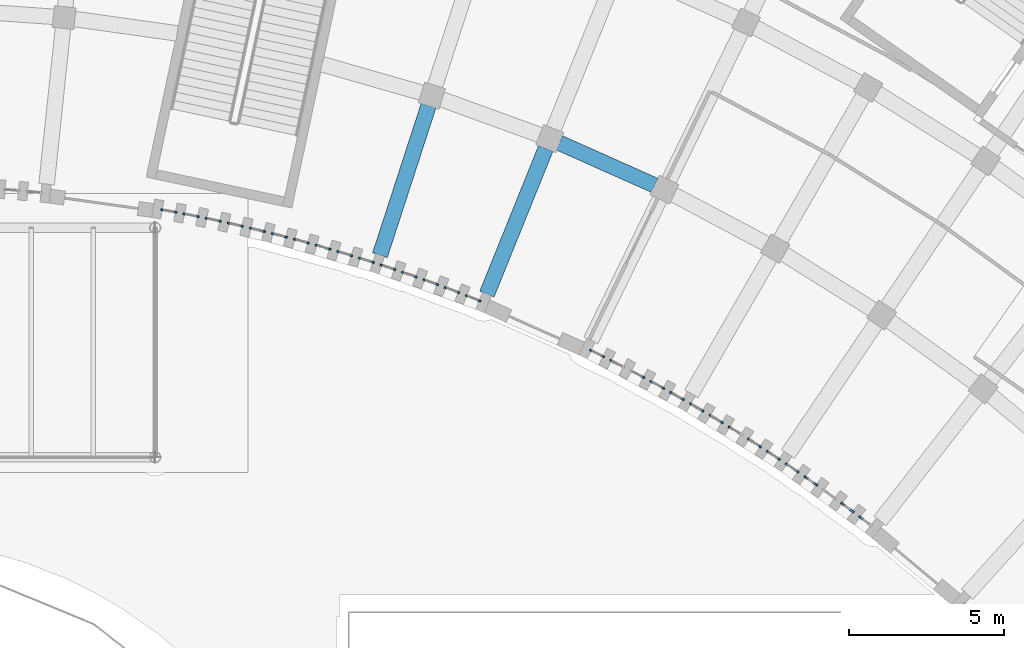
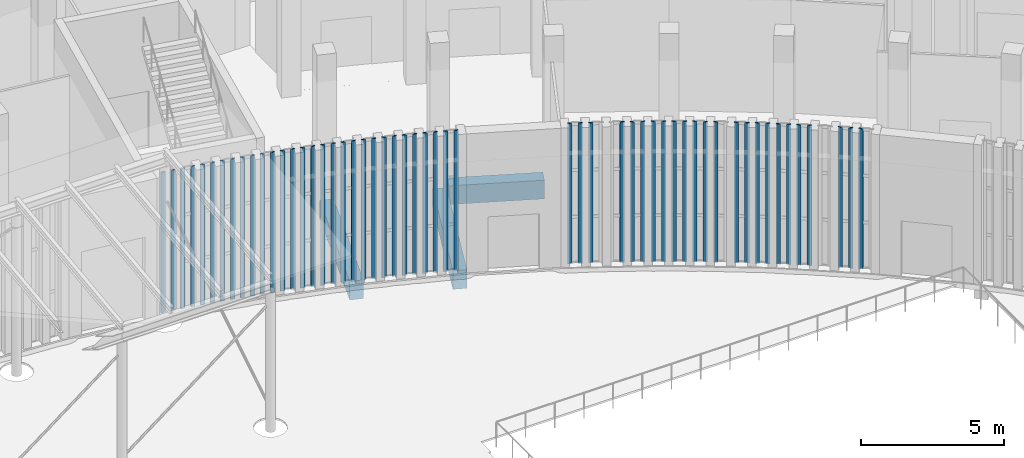
# One storey, part 32 of 155: 54 members, 3 beams, 29 elements without a shape of their own.
"""IFC4 building model written with IfcOpenShell, lengths in metres."""

from ifc_helpers import new_model, si_unit, direction, frame, origin, origin_2d, place, context, subcontext, project, spatial, rectangle, extrude, material, layer, layer_set, material_profile, profile_set, type_object, element, aggregate, save


model = new_model("IFC4")

# Units and contexts
model_context = context("Model", 3, precision=1e-05, world=origin(), true_north=direction((0.0, 1.0)))
body_context = subcontext(model_context, "Body", "Model", "MODEL_VIEW")
ifc_project = project(units=[si_unit("LENGTHUNIT", "METRE"), si_unit("AREAUNIT", "SQUARE_METRE"), si_unit("VOLUMEUNIT", "CUBIC_METRE"), si_unit("PLANEANGLEUNIT", "RADIAN"), si_unit("MASSUNIT", "GRAM", prefix="KILO")], contexts=[model_context])

# Site, building, storey
site_placement = place(None, origin())
site = spatial("IfcSite", under=ifc_project, at=site_placement, CompositionType="ELEMENT")
building_placement = place(site_placement, origin())
building = spatial("IfcBuilding", under=site, at=building_placement, Name="Lunette Opera House", CompositionType="ELEMENT")
storey_placement = place(building_placement, origin())
storey = spatial("IfcBuildingStorey", under=building, at=storey_placement, Name="L00", CompositionType="ELEMENT", Elevation=0.0)

# Curtain wall, members
ifc_material_1 = material(Name="Aluminium", Category="aluminium")
ifc_layer = layer(ifc_material_1, 0.1201171875)
ifc_layer_set = layer_set([ifc_layer], Name="Aluminium")
curtain_wall_type = type_object("IfcCurtainWallType", Name="SLOT CURTAIN WALL", PredefinedType="NOTDEFINED", material=ifc_layer_set)
curtain_wall_1_placement = place(storey_placement, origin())
curtain_wall_1 = element("IfcCurtainWall", 1, at=curtain_wall_1_placement, inside=storey, type_object=curtain_wall_type, Name="Slot Curtain Wall CS046 L00", PredefinedType="NOTDEFINED")
ifc_material_2 = material(Name="Aluminium", Category="aluminium")
ifc_material_profile_1 = material_profile(ifc_material_2, rectangle(XDim=0.06005859375, YDim=0.159912109375, at=origin_2d()), Name="MULLION 60 X 160")
ifc_profile_set_1 = profile_set([ifc_material_profile_1], Name="Aluminium")
member_type = type_object("IfcMemberType", Name="MULLION 60 X 160", PredefinedType="MULLION", material=ifc_profile_set_1)
member_1_placement = place(storey_placement, frame((105.258544921875, 51.4736328125, 0.0), z_axis=(0.0, 0.0, 1.0), x_axis=(0.178681227225, 0.983907017475, 0.0)))
member_1 = element("IfcMember", 2, at=member_1_placement, type_object=member_type, Name="FC-X2091 mullion 1", PredefinedType="MULLION", context=body_context, shape_type="SweptSolid", body=[
    extrude(rectangle(XDim=0.06005859375, YDim=0.159912109375, at=origin_2d()), origin(), (0.0, 0.0, 1.0), 6.0),
])
member_2_placement = place(storey_placement, frame((105.62353515625, 51.407470703125, 0.0), z_axis=(0.0, 0.0, 1.0), x_axis=(0.178681227225, 0.983907017475, 0.0)))
member_2 = element("IfcMember", 3, at=member_2_placement, type_object=member_type, Name="FC-X2091 mullion 2", PredefinedType="MULLION", context=body_context, shape_type="SweptSolid", body=[
    extrude(rectangle(XDim=0.06005859375, YDim=0.159912109375, at=origin_2d()), origin(), (0.0, 0.0, 1.0), 6.0),
])
aggregate(curtain_wall_1, [member_1, member_2])

curtain_wall_2_placement = place(storey_placement, origin())
curtain_wall_2 = element("IfcCurtainWall", 4, at=curtain_wall_2_placement, inside=storey, type_object=curtain_wall_type, Name="Slot Curtain Wall CS047 L00", PredefinedType="NOTDEFINED")
member_3_placement = place(storey_placement, frame((105.976318359375, 51.339111328125, 0.0), z_axis=(0.0, 0.0, 1.0), x_axis=(0.192985163529, 0.981201674814, 0.0)))
member_3 = element("IfcMember", 5, at=member_3_placement, type_object=member_type, Name="FC-X2093 mullion 1", PredefinedType="MULLION", context=body_context, shape_type="SweptSolid", body=[
    extrude(rectangle(XDim=0.06005859375, YDim=0.159912109375, at=origin_2d()), origin(), (0.0, 0.0, 1.0), 6.0),
])
member_4_placement = place(storey_placement, frame((106.339599609375, 51.267822265625, 0.0), z_axis=(0.0, 0.0, 1.0), x_axis=(0.192985163529, 0.981201674814, 0.0)))
member_4 = element("IfcMember", 6, at=member_4_placement, type_object=member_type, Name="FC-X2093 mullion 2", PredefinedType="MULLION", context=body_context, shape_type="SweptSolid", body=[
    extrude(rectangle(XDim=0.06005859375, YDim=0.159912109375, at=origin_2d()), origin(), (0.0, 0.0, 1.0), 6.0),
])
aggregate(curtain_wall_2, [member_3, member_4])

curtain_wall_3_placement = place(storey_placement, origin())
curtain_wall_3 = element("IfcCurtainWall", 7, at=curtain_wall_3_placement, inside=storey, type_object=curtain_wall_type, Name="Slot Curtain Wall CS048 L00", PredefinedType="NOTDEFINED")
member_5_placement = place(storey_placement, frame((106.6923828125, 51.19482421875, 0.0), z_axis=(0.0, 0.0, 1.0), x_axis=(0.206830258672, 0.978376841558, 0.0)))
member_5 = element("IfcMember", 8, at=member_5_placement, type_object=member_type, Name="FC-X2095 mullion 1", PredefinedType="MULLION", context=body_context, shape_type="SweptSolid", body=[
    extrude(rectangle(XDim=0.06005859375, YDim=0.159912109375, at=origin_2d()), origin(), (0.0, 0.0, 1.0), 6.0),
])
member_6_placement = place(storey_placement, frame((107.0546875, 51.1181640625, 0.0), z_axis=(0.0, 0.0, 1.0), x_axis=(0.206830258672, 0.978376841558, 0.0)))
member_6 = element("IfcMember", 9, at=member_6_placement, type_object=member_type, Name="FC-X2095 mullion 2", PredefinedType="MULLION", context=body_context, shape_type="SweptSolid", body=[
    extrude(rectangle(XDim=0.06005859375, YDim=0.159912109375, at=origin_2d()), origin(), (0.0, 0.0, 1.0), 6.0),
])
aggregate(curtain_wall_3, [member_5, member_6])

curtain_wall_4_placement = place(storey_placement, origin())
curtain_wall_4 = element("IfcCurtainWall", 10, at=curtain_wall_4_placement, inside=storey, type_object=curtain_wall_type, Name="Slot Curtain Wall CS049 L00", PredefinedType="NOTDEFINED")
member_7_placement = place(storey_placement, frame((107.40625, 51.041259765625, 0.0), z_axis=(0.0, 0.0, 1.0), x_axis=(0.222824801509, 0.97485850657, 0.0)))
member_7 = element("IfcMember", 11, at=member_7_placement, type_object=member_type, Name="FC-X2097 mullion 1", PredefinedType="MULLION", context=body_context, shape_type="SweptSolid", body=[
    extrude(rectangle(XDim=0.06005859375, YDim=0.159912109375, at=origin_2d()), origin(), (0.0, 0.0, 1.0), 6.0),
])
member_8_placement = place(storey_placement, frame((107.767822265625, 50.958740234375, 0.0), z_axis=(0.0, 0.0, 1.0), x_axis=(0.222824801509, 0.97485850657, 0.0)))
member_8 = element("IfcMember", 12, at=member_8_placement, type_object=member_type, Name="FC-X2097 mullion 2", PredefinedType="MULLION", context=body_context, shape_type="SweptSolid", body=[
    extrude(rectangle(XDim=0.06005859375, YDim=0.159912109375, at=origin_2d()), origin(), (0.0, 0.0, 1.0), 6.0),
])
aggregate(curtain_wall_4, [member_7, member_8])

curtain_wall_5_placement = place(storey_placement, origin())
curtain_wall_5 = element("IfcCurtainWall", 13, at=curtain_wall_5_placement, inside=storey, type_object=curtain_wall_type, Name="Slot Curtain Wall CS050 L00", PredefinedType="NOTDEFINED")
member_9_placement = place(storey_placement, frame((108.1181640625, 50.876953125, 0.0), z_axis=(0.0, 0.0, 1.0), x_axis=(0.234867843442, 0.972027312434, 0.0)))
member_9 = element("IfcMember", 14, at=member_9_placement, type_object=member_type, Name="FC-X2099 mullion 1", PredefinedType="MULLION", context=body_context, shape_type="SweptSolid", body=[
    extrude(rectangle(XDim=0.06005859375, YDim=0.159912109375, at=origin_2d()), origin(), (0.0, 0.0, 1.0), 6.0),
])
member_10_placement = place(storey_placement, frame((108.477783203125, 50.7900390625, 0.0), z_axis=(0.0, 0.0, 1.0), x_axis=(0.234867843442, 0.972027312434, 0.0)))
member_10 = element("IfcMember", 15, at=member_10_placement, type_object=member_type, Name="FC-X2099 mullion 2", PredefinedType="MULLION", context=body_context, shape_type="SweptSolid", body=[
    extrude(rectangle(XDim=0.06005859375, YDim=0.159912109375, at=origin_2d()), origin(), (0.0, 0.0, 1.0), 6.0),
])
aggregate(curtain_wall_5, [member_9, member_10])

curtain_wall_6_placement = place(storey_placement, origin())
curtain_wall_6 = element("IfcCurtainWall", 16, at=curtain_wall_6_placement, inside=storey, type_object=curtain_wall_type, Name="Slot Curtain Wall CS051 L00", PredefinedType="NOTDEFINED")
member_11_placement = place(storey_placement, frame((108.8271484375, 50.70263671875, 0.0), z_axis=(0.0, 0.0, 1.0), x_axis=(0.248543003132, 0.968620862667, 0.0)))
member_11 = element("IfcMember", 17, at=member_11_placement, type_object=member_type, Name="FC-X2101 mullion 1", PredefinedType="MULLION", context=body_context, shape_type="SweptSolid", body=[
    extrude(rectangle(XDim=0.06005859375, YDim=0.159912109375, at=origin_2d()), origin(), (0.0, 0.0, 1.0), 6.0),
])
member_12_placement = place(storey_placement, frame((109.18603515625, 50.6103515625, 0.0), z_axis=(0.0, 0.0, 1.0), x_axis=(0.248543003132, 0.968620862667, 0.0)))
member_12 = element("IfcMember", 18, at=member_12_placement, type_object=member_type, Name="FC-X2101 mullion 2", PredefinedType="MULLION", context=body_context, shape_type="SweptSolid", body=[
    extrude(rectangle(XDim=0.06005859375, YDim=0.159912109375, at=origin_2d()), origin(), (0.0, 0.0, 1.0), 6.0),
])
aggregate(curtain_wall_6, [member_11, member_12])

curtain_wall_7_placement = place(storey_placement, origin())
curtain_wall_7 = element("IfcCurtainWall", 19, at=curtain_wall_7_placement, inside=storey, type_object=curtain_wall_type, Name="Slot Curtain Wall CS052 L00", PredefinedType="NOTDEFINED")
member_13_placement = place(storey_placement, frame((109.533935546875, 50.51806640625, 0.0), z_axis=(0.0, 0.0, 1.0), x_axis=(0.260557433934, 0.965458348983, 0.0)))
member_13 = element("IfcMember", 20, at=member_13_placement, type_object=member_type, Name="FC-X2103 mullion 1", PredefinedType="MULLION", context=body_context, shape_type="SweptSolid", body=[
    extrude(rectangle(XDim=0.06005859375, YDim=0.159912109375, at=origin_2d()), origin(), (0.0, 0.0, 1.0), 6.0),
])
member_14_placement = place(storey_placement, frame((109.89111328125, 50.421875, 0.0), z_axis=(0.0, 0.0, 1.0), x_axis=(0.260557433934, 0.965458348983, 0.0)))
member_14 = element("IfcMember", 21, at=member_14_placement, type_object=member_type, Name="FC-X2103 mullion 2", PredefinedType="MULLION", context=body_context, shape_type="SweptSolid", body=[
    extrude(rectangle(XDim=0.06005859375, YDim=0.159912109375, at=origin_2d()), origin(), (0.0, 0.0, 1.0), 6.0),
])
aggregate(curtain_wall_7, [member_13, member_14])

curtain_wall_8_placement = place(storey_placement, origin())
curtain_wall_8 = element("IfcCurtainWall", 22, at=curtain_wall_8_placement, inside=storey, type_object=curtain_wall_type, Name="Slot Curtain Wall CS053 L00", PredefinedType="NOTDEFINED")
member_15_placement = place(storey_placement, frame((110.23779296875, 50.32470703125, 0.0), z_axis=(0.0, 0.0, 1.0), x_axis=(0.276253818781, 0.961084714065, 0.0)))
member_15 = element("IfcMember", 23, at=member_15_placement, type_object=member_type, Name="FC-X2105 mullion 1", PredefinedType="MULLION", context=body_context, shape_type="SweptSolid", body=[
    extrude(rectangle(XDim=0.06005859375, YDim=0.159912109375, at=origin_2d()), origin(), (0.0, 0.0, 1.0), 6.0),
])
member_16_placement = place(storey_placement, frame((110.59423828125, 50.22216796875, 0.0), z_axis=(0.0, 0.0, 1.0), x_axis=(0.276253818781, 0.961084714065, 0.0)))
member_16 = element("IfcMember", 24, at=member_16_placement, type_object=member_type, Name="FC-X2105 mullion 2", PredefinedType="MULLION", context=body_context, shape_type="SweptSolid", body=[
    extrude(rectangle(XDim=0.06005859375, YDim=0.159912109375, at=origin_2d()), origin(), (0.0, 0.0, 1.0), 6.0),
])
aggregate(curtain_wall_8, [member_15, member_16])

curtain_wall_9_placement = place(storey_placement, origin())
curtain_wall_9 = element("IfcCurtainWall", 25, at=curtain_wall_9_placement, inside=storey, type_object=curtain_wall_type, Name="Slot Curtain Wall CS054 L00", PredefinedType="NOTDEFINED")
member_17_placement = place(storey_placement, frame((110.938720703125, 50.121337890625, 0.0), z_axis=(0.0, 0.0, 1.0), x_axis=(0.290329696075, 0.956926678266, 0.0)))
member_17 = element("IfcMember", 26, at=member_17_placement, type_object=member_type, Name="FC-X2107 mullion 1", PredefinedType="MULLION", context=body_context, shape_type="SweptSolid", body=[
    extrude(rectangle(XDim=0.06005859375, YDim=0.159912109375, at=origin_2d()), origin(), (0.0, 0.0, 1.0), 6.0),
])
member_18_placement = place(storey_placement, frame((111.293212890625, 50.013671875, 0.0), z_axis=(0.0, 0.0, 1.0), x_axis=(0.290329696075, 0.956926678266, 0.0)))
member_18 = element("IfcMember", 27, at=member_18_placement, type_object=member_type, Name="FC-X2107 mullion 2", PredefinedType="MULLION", context=body_context, shape_type="SweptSolid", body=[
    extrude(rectangle(XDim=0.06005859375, YDim=0.159912109375, at=origin_2d()), origin(), (0.0, 0.0, 1.0), 6.0),
])
aggregate(curtain_wall_9, [member_17, member_18])

curtain_wall_10_placement = place(storey_placement, origin())
curtain_wall_10 = element("IfcCurtainWall", 28, at=curtain_wall_10_placement, inside=storey, type_object=curtain_wall_type, Name="Slot Curtain Wall CS055 L00", PredefinedType="NOTDEFINED")
member_19_placement = place(storey_placement, frame((111.6376953125, 49.906982421875, 0.0), z_axis=(0.0, 0.0, 1.0), x_axis=(0.302243860731, 0.9532306377, 0.0)))
member_19 = element("IfcMember", 29, at=member_19_placement, type_object=member_type, Name="FC-X2109 mullion 1", PredefinedType="MULLION", context=body_context, shape_type="SweptSolid", body=[
    extrude(rectangle(XDim=0.06005859375, YDim=0.159912109375, at=origin_2d()), origin(), (0.0, 0.0, 1.0), 6.0),
])
member_20_placement = place(storey_placement, frame((111.990478515625, 49.795166015625, 0.0), z_axis=(0.0, 0.0, 1.0), x_axis=(0.302243860731, 0.9532306377, 0.0)))
member_20 = element("IfcMember", 30, at=member_20_placement, type_object=member_type, Name="FC-X2109 mullion 2", PredefinedType="MULLION", context=body_context, shape_type="SweptSolid", body=[
    extrude(rectangle(XDim=0.06005859375, YDim=0.159912109375, at=origin_2d()), origin(), (0.0, 0.0, 1.0), 6.0),
])
aggregate(curtain_wall_10, [member_19, member_20])

curtain_wall_11_placement = place(storey_placement, origin())
curtain_wall_11 = element("IfcCurtainWall", 31, at=curtain_wall_11_placement, inside=storey, type_object=curtain_wall_type, Name="Slot Curtain Wall CS056 L00", PredefinedType="NOTDEFINED")
member_21_placement = place(storey_placement, frame((112.33251953125, 49.6845703125, 0.0), z_axis=(0.0, 0.0, 1.0), x_axis=(0.316227766018, 0.94868329805, 0.0)))
member_21 = element("IfcMember", 32, at=member_21_placement, type_object=member_type, Name="FC-X2111 mullion 1", PredefinedType="MULLION", context=body_context, shape_type="SweptSolid", body=[
    extrude(rectangle(XDim=0.06005859375, YDim=0.159912109375, at=origin_2d()), origin(), (0.0, 0.0, 1.0), 6.0),
])
member_22_placement = place(storey_placement, frame((112.68359375, 49.5673828125, 0.0), z_axis=(0.0, 0.0, 1.0), x_axis=(0.316227766018, 0.94868329805, 0.0)))
member_22 = element("IfcMember", 33, at=member_22_placement, type_object=member_type, Name="FC-X2111 mullion 2", PredefinedType="MULLION", context=body_context, shape_type="SweptSolid", body=[
    extrude(rectangle(XDim=0.06005859375, YDim=0.159912109375, at=origin_2d()), origin(), (0.0, 0.0, 1.0), 6.0),
])
aggregate(curtain_wall_11, [member_21, member_22])

curtain_wall_12_placement = place(storey_placement, origin())
curtain_wall_12 = element("IfcCurtainWall", 34, at=curtain_wall_12_placement, inside=storey, type_object=curtain_wall_type, Name="Slot Curtain Wall CS057 L00", PredefinedType="NOTDEFINED")
member_23_placement = place(storey_placement, frame((113.0244140625, 49.451171875, 0.0), z_axis=(0.0, 0.0, 1.0), x_axis=(0.327349770191, 0.944903237351, 0.0)))
member_23 = element("IfcMember", 35, at=member_23_placement, type_object=member_type, Name="FC-X2113 mullion 1", PredefinedType="MULLION", context=body_context, shape_type="SweptSolid", body=[
    extrude(rectangle(XDim=0.06005859375, YDim=0.159912109375, at=origin_2d()), origin(), (0.0, 0.0, 1.0), 6.0),
])
member_24_placement = place(storey_placement, frame((113.374755859375, 49.329833984375, 0.0), z_axis=(0.0, 0.0, 1.0), x_axis=(0.327349770191, 0.944903237351, 0.0)))
member_24 = element("IfcMember", 36, at=member_24_placement, type_object=member_type, Name="FC-X2113 mullion 2", PredefinedType="MULLION", context=body_context, shape_type="SweptSolid", body=[
    extrude(rectangle(XDim=0.06005859375, YDim=0.159912109375, at=origin_2d()), origin(), (0.0, 0.0, 1.0), 6.0),
])
aggregate(curtain_wall_12, [member_23, member_24])

curtain_wall_13_placement = place(storey_placement, origin())
curtain_wall_13 = element("IfcCurtainWall", 37, at=curtain_wall_13_placement, inside=storey, type_object=curtain_wall_type, Name="Slot Curtain Wall CS058 L00", PredefinedType="NOTDEFINED")
member_25_placement = place(storey_placement, frame((113.713134765625, 49.208740234375, 0.0), z_axis=(0.0, 0.0, 1.0), x_axis=(0.341183934655, 0.939996554639, 0.0)))
member_25 = element("IfcMember", 38, at=member_25_placement, type_object=member_type, Name="FC-X2115 mullion 1", PredefinedType="MULLION", context=body_context, shape_type="SweptSolid", body=[
    extrude(rectangle(XDim=0.06005859375, YDim=0.159912109375, at=origin_2d()), origin(), (0.0, 0.0, 1.0), 6.0),
])
member_26_placement = place(storey_placement, frame((114.061767578125, 49.082275390625, 0.0), z_axis=(0.0, 0.0, 1.0), x_axis=(0.341183934655, 0.939996554639, 0.0)))
member_26 = element("IfcMember", 39, at=member_26_placement, type_object=member_type, Name="FC-X2115 mullion 2", PredefinedType="MULLION", context=body_context, shape_type="SweptSolid", body=[
    extrude(rectangle(XDim=0.06005859375, YDim=0.159912109375, at=origin_2d()), origin(), (0.0, 0.0, 1.0), 6.0),
])
aggregate(curtain_wall_13, [member_25, member_26])

curtain_wall_14_placement = place(storey_placement, origin())
curtain_wall_14 = element("IfcCurtainWall", 40, at=curtain_wall_14_placement, inside=storey, type_object=curtain_wall_type, Name="Slot Curtain Wall CS059 L00", PredefinedType="NOTDEFINED")
member_27_placement = place(storey_placement, frame((114.399169921875, 48.956298828125, 0.0), z_axis=(0.0, 0.0, 1.0), x_axis=(0.353672046164, 0.935369490502, 0.0)))
member_27 = element("IfcMember", 41, at=member_27_placement, type_object=member_type, Name="FC-X2117 mullion 1", PredefinedType="MULLION", context=body_context, shape_type="SweptSolid", body=[
    extrude(rectangle(XDim=0.06005859375, YDim=0.159912109375, at=origin_2d()), origin(), (0.0, 0.0, 1.0), 6.0),
])
member_28_placement = place(storey_placement, frame((114.744873046875, 48.82568359375, 0.0), z_axis=(0.0, 0.0, 1.0), x_axis=(0.353672046164, 0.935369490502, 0.0)))
member_28 = element("IfcMember", 42, at=member_28_placement, type_object=member_type, Name="FC-X2117 mullion 2", PredefinedType="MULLION", context=body_context, shape_type="SweptSolid", body=[
    extrude(rectangle(XDim=0.06005859375, YDim=0.159912109375, at=origin_2d()), origin(), (0.0, 0.0, 1.0), 6.0),
])
aggregate(curtain_wall_14, [member_27, member_28])

curtain_wall_15_placement = place(storey_placement, origin())
curtain_wall_15 = element("IfcCurtainWall", 43, at=curtain_wall_15_placement, inside=storey, type_object=curtain_wall_type, Name="Slot Curtain Wall CS060 L00", PredefinedType="NOTDEFINED")
member_29_placement = place(storey_placement, frame((115.080810546875, 48.695068359375, 0.0), z_axis=(0.0, 0.0, 1.0), x_axis=(0.367378285076, 0.93007160781, 0.0)))
member_29 = element("IfcMember", 44, at=member_29_placement, type_object=member_type, Name="FC-X2119 mullion 1", PredefinedType="MULLION", context=body_context, shape_type="SweptSolid", body=[
    extrude(rectangle(XDim=0.06005859375, YDim=0.159912109375, at=origin_2d()), origin(), (0.0, 0.0, 1.0), 6.0),
])
member_30_placement = place(storey_placement, frame((115.425048828125, 48.55908203125, 0.0), z_axis=(0.0, 0.0, 1.0), x_axis=(0.367378285076, 0.93007160781, 0.0)))
member_30 = element("IfcMember", 45, at=member_30_placement, type_object=member_type, Name="FC-X2119 mullion 2", PredefinedType="MULLION", context=body_context, shape_type="SweptSolid", body=[
    extrude(rectangle(XDim=0.06005859375, YDim=0.159912109375, at=origin_2d()), origin(), (0.0, 0.0, 1.0), 6.0),
])
aggregate(curtain_wall_15, [member_29, member_30])

curtain_wall_16_placement = place(storey_placement, origin())
curtain_wall_16 = element("IfcCurtainWall", 46, at=curtain_wall_16_placement, inside=storey, type_object=curtain_wall_type, Name="Slot Curtain Wall CS061 L00", PredefinedType="NOTDEFINED")
member_31_placement = place(storey_placement, frame((119.0888671875, 46.927734375, 0.0), z_axis=(0.0, 0.0, 1.0), x_axis=(0.444419253552, 0.895818914219, 0.0)))
member_31 = element("IfcMember", 47, at=member_31_placement, type_object=member_type, Name="FC-X2121 mullion 1", PredefinedType="MULLION", context=body_context, shape_type="SweptSolid", body=[
    extrude(rectangle(XDim=0.06005859375, YDim=0.159912109375, at=origin_2d()), origin(), (0.0, 0.0, 1.0), 6.0),
])
member_32_placement = place(storey_placement, frame((119.420166015625, 46.763427734375, 0.0), z_axis=(0.0, 0.0, 1.0), x_axis=(0.444419253552, 0.895818914219, 0.0)))
member_32 = element("IfcMember", 48, at=member_32_placement, type_object=member_type, Name="FC-X2121 mullion 2", PredefinedType="MULLION", context=body_context, shape_type="SweptSolid", body=[
    extrude(rectangle(XDim=0.06005859375, YDim=0.159912109375, at=origin_2d()), origin(), (0.0, 0.0, 1.0), 6.0),
])
aggregate(curtain_wall_16, [member_31, member_32])

# Curtain wall, member
curtain_wall_17_placement = place(storey_placement, origin())
curtain_wall_17 = element("IfcCurtainWall", 49, at=curtain_wall_17_placement, inside=storey, type_object=curtain_wall_type, Name="Slot Curtain Wall CS062 L00", PredefinedType="NOTDEFINED")
member_33_placement = place(storey_placement, frame((119.74169921875, 46.600341796875, 0.0), z_axis=(0.0, 0.0, 1.0), x_axis=(0.45650577905, 0.889720446935, 0.0)))
member_33 = element("IfcMember", 50, at=member_33_placement, type_object=member_type, Name="FC-X2123 mullion 1", PredefinedType="MULLION", context=body_context, shape_type="SweptSolid", body=[
    extrude(rectangle(XDim=0.06005859375, YDim=0.159912109375, at=origin_2d()), origin(), (0.0, 0.0, 1.0), 6.0),
])
aggregate(curtain_wall_17, [member_33])

curtain_wall_18_placement = place(storey_placement, origin())
curtain_wall_18 = element("IfcCurtainWall", 51, at=curtain_wall_18_placement, inside=storey, type_object=curtain_wall_type, Name="Slot Curtain Wall CS063 L00", PredefinedType="NOTDEFINED")
member_34_placement = place(storey_placement, frame((120.716552734375, 46.091064453125, 0.0), z_axis=(0.0, 0.0, 1.0), x_axis=(0.469381737569, 0.882995347914, 0.0)))
member_34 = element("IfcMember", 52, at=member_34_placement, type_object=member_type, Name="FC-X2125 mullion 2", PredefinedType="MULLION", context=body_context, shape_type="SweptSolid", body=[
    extrude(rectangle(XDim=0.06005859375, YDim=0.159912109375, at=origin_2d()), origin(), (0.0, 0.0, 1.0), 6.0),
])
aggregate(curtain_wall_18, [member_34])

# Curtain wall, members
curtain_wall_19_placement = place(storey_placement, origin())
curtain_wall_19 = element("IfcCurtainWall", 53, at=curtain_wall_19_placement, inside=storey, type_object=curtain_wall_type, Name="Slot Curtain Wall CS064 L00", PredefinedType="NOTDEFINED")
member_35_placement = place(storey_placement, frame((121.033203125, 45.919677734375, 0.0), z_axis=(0.0, 0.0, 1.0), x_axis=(0.481293842715, 0.876559317425, 0.0)))
member_35 = element("IfcMember", 54, at=member_35_placement, type_object=member_type, Name="FC-X2127 mullion 1", PredefinedType="MULLION", context=body_context, shape_type="SweptSolid", body=[
    extrude(rectangle(XDim=0.06005859375, YDim=0.159912109375, at=origin_2d()), origin(), (0.0, 0.0, 1.0), 6.0),
])
member_36_placement = place(storey_placement, frame((121.357666015625, 45.741455078125, 0.0), z_axis=(0.0, 0.0, 1.0), x_axis=(0.481293842715, 0.876559317425, 0.0)))
member_36 = element("IfcMember", 55, at=member_36_placement, type_object=member_type, Name="FC-X2127 mullion 2", PredefinedType="MULLION", context=body_context, shape_type="SweptSolid", body=[
    extrude(rectangle(XDim=0.06005859375, YDim=0.159912109375, at=origin_2d()), origin(), (0.0, 0.0, 1.0), 6.0),
])
aggregate(curtain_wall_19, [member_35, member_36])

curtain_wall_20_placement = place(storey_placement, origin())
curtain_wall_20 = element("IfcCurtainWall", 56, at=curtain_wall_20_placement, inside=storey, type_object=curtain_wall_type, Name="Slot Curtain Wall CS065 L00", PredefinedType="NOTDEFINED")
member_37_placement = place(storey_placement, frame((121.672119140625, 45.565185546875, 0.0), z_axis=(0.0, 0.0, 1.0), x_axis=(0.493129947711, 0.869955662474, 0.0)))
member_37 = element("IfcMember", 57, at=member_37_placement, type_object=member_type, Name="FC-X2129 mullion 1", PredefinedType="MULLION", context=body_context, shape_type="SweptSolid", body=[
    extrude(rectangle(XDim=0.06005859375, YDim=0.159912109375, at=origin_2d()), origin(), (0.0, 0.0, 1.0), 6.0),
])
member_38_placement = place(storey_placement, frame((121.993896484375, 45.3828125, 0.0), z_axis=(0.0, 0.0, 1.0), x_axis=(0.493129947711, 0.869955662474, 0.0)))
member_38 = element("IfcMember", 58, at=member_38_placement, type_object=member_type, Name="FC-X2129 mullion 2", PredefinedType="MULLION", context=body_context, shape_type="SweptSolid", body=[
    extrude(rectangle(XDim=0.06005859375, YDim=0.159912109375, at=origin_2d()), origin(), (0.0, 0.0, 1.0), 6.0),
])
aggregate(curtain_wall_20, [member_37, member_38])

curtain_wall_21_placement = place(storey_placement, origin())
curtain_wall_21 = element("IfcCurtainWall", 59, at=curtain_wall_21_placement, inside=storey, type_object=curtain_wall_type, Name="Slot Curtain Wall CS066 L00", PredefinedType="NOTDEFINED")
member_39_placement = place(storey_placement, frame((122.305908203125, 45.202880859375, 0.0), z_axis=(0.0, 0.0, 1.0), x_axis=(0.506613832884, 0.862173082583, 0.0)))
member_39 = element("IfcMember", 60, at=member_39_placement, type_object=member_type, Name="FC-X2131 mullion 1", PredefinedType="MULLION", context=body_context, shape_type="SweptSolid", body=[
    extrude(rectangle(XDim=0.06005859375, YDim=0.159912109375, at=origin_2d()), origin(), (0.0, 0.0, 1.0), 6.0),
])
member_40_placement = place(storey_placement, frame((122.625244140625, 45.01513671875, 0.0), z_axis=(0.0, 0.0, 1.0), x_axis=(0.506613832884, 0.862173082583, 0.0)))
member_40 = element("IfcMember", 61, at=member_40_placement, type_object=member_type, Name="FC-X2131 mullion 2", PredefinedType="MULLION", context=body_context, shape_type="SweptSolid", body=[
    extrude(rectangle(XDim=0.06005859375, YDim=0.159912109375, at=origin_2d()), origin(), (0.0, 0.0, 1.0), 6.0),
])
aggregate(curtain_wall_21, [member_39, member_40])

curtain_wall_22_placement = place(storey_placement, origin())
curtain_wall_22 = element("IfcCurtainWall", 62, at=curtain_wall_22_placement, inside=storey, type_object=curtain_wall_type, Name="Slot Curtain Wall CS067 L00", PredefinedType="NOTDEFINED")
member_41_placement = place(storey_placement, frame((122.9345703125, 44.83154296875, 0.0), z_axis=(0.0, 0.0, 1.0), x_axis=(0.518250209625, 0.855229045475, 0.0)))
member_41 = element("IfcMember", 63, at=member_41_placement, type_object=member_type, Name="FC-X2133 mullion 1", PredefinedType="MULLION", context=body_context, shape_type="SweptSolid", body=[
    extrude(rectangle(XDim=0.06005859375, YDim=0.159912109375, at=origin_2d()), origin(), (0.0, 0.0, 1.0), 6.0),
])
member_42_placement = place(storey_placement, frame((123.25146484375, 44.6396484375, 0.0), z_axis=(0.0, 0.0, 1.0), x_axis=(0.518250209625, 0.855229045475, 0.0)))
member_42 = element("IfcMember", 64, at=member_42_placement, type_object=member_type, Name="FC-X2133 mullion 2", PredefinedType="MULLION", context=body_context, shape_type="SweptSolid", body=[
    extrude(rectangle(XDim=0.06005859375, YDim=0.159912109375, at=origin_2d()), origin(), (0.0, 0.0, 1.0), 6.0),
])
aggregate(curtain_wall_22, [member_41, member_42])

# Curtain wall, member
curtain_wall_23_placement = place(storey_placement, origin())
curtain_wall_23 = element("IfcCurtainWall", 65, at=curtain_wall_23_placement, inside=storey, type_object=curtain_wall_type, Name="Slot Curtain Wall CS068 L00", PredefinedType="NOTDEFINED")
member_43_placement = place(storey_placement, frame((123.557373046875, 44.451171875, 0.0), z_axis=(0.0, 0.0, 1.0), x_axis=(0.52979005735, 0.848128819893, 0.0)))
member_43 = element("IfcMember", 66, at=member_43_placement, type_object=member_type, Name="FC-X2135 mullion 1", PredefinedType="MULLION", context=body_context, shape_type="SweptSolid", body=[
    extrude(rectangle(XDim=0.06005859375, YDim=0.159912109375, at=origin_2d()), origin(), (0.0, 0.0, 1.0), 6.0),
])
aggregate(curtain_wall_23, [member_43])

# Curtain wall, members
curtain_wall_24_placement = place(storey_placement, origin())
curtain_wall_24 = element("IfcCurtainWall", 67, at=curtain_wall_24_placement, inside=storey, type_object=curtain_wall_type, Name="Slot Curtain Wall CS069 L00", PredefinedType="NOTDEFINED")
member_44_placement = place(storey_placement, frame((124.17529296875, 44.061767578125, 0.0), z_axis=(0.0, 0.0, 1.0), x_axis=(0.541227111143, 0.840876455946, 0.0)))
member_44 = element("IfcMember", 68, at=member_44_placement, type_object=member_type, Name="FC-X2137 mullion 1", PredefinedType="MULLION", context=body_context, shape_type="SweptSolid", body=[
    extrude(rectangle(XDim=0.06005859375, YDim=0.159912109375, at=origin_2d()), origin(), (0.0, 0.0, 1.0), 6.0),
])
member_45_placement = place(storey_placement, frame((124.48681640625, 43.861328125, 0.0), z_axis=(0.0, 0.0, 1.0), x_axis=(0.541227111143, 0.840876455946, 0.0)))
member_45 = element("IfcMember", 69, at=member_45_placement, type_object=member_type, Name="FC-X2137 mullion 2", PredefinedType="MULLION", context=body_context, shape_type="SweptSolid", body=[
    extrude(rectangle(XDim=0.06005859375, YDim=0.159912109375, at=origin_2d()), origin(), (0.0, 0.0, 1.0), 6.0),
])
aggregate(curtain_wall_24, [member_44, member_45])

curtain_wall_25_placement = place(storey_placement, origin())
curtain_wall_25 = element("IfcCurtainWall", 70, at=curtain_wall_25_placement, inside=storey, type_object=curtain_wall_type, Name="Slot Curtain Wall CS070 L00", PredefinedType="NOTDEFINED")
member_46_placement = place(storey_placement, frame((124.7880859375, 43.663330078125, 0.0), z_axis=(0.0, 0.0, 1.0), x_axis=(0.553626122068, 0.832765343277, 0.0)))
member_46 = element("IfcMember", 71, at=member_46_placement, type_object=member_type, Name="FC-X2139 mullion 1", PredefinedType="MULLION", context=body_context, shape_type="SweptSolid", body=[
    extrude(rectangle(XDim=0.06005859375, YDim=0.159912109375, at=origin_2d()), origin(), (0.0, 0.0, 1.0), 6.0),
])
member_47_placement = place(storey_placement, frame((125.095947265625, 43.45849609375, 0.0), z_axis=(0.0, 0.0, 1.0), x_axis=(0.553626122068, 0.832765343277, 0.0)))
member_47 = element("IfcMember", 72, at=member_47_placement, type_object=member_type, Name="FC-X2139 mullion 2", PredefinedType="MULLION", context=body_context, shape_type="SweptSolid", body=[
    extrude(rectangle(XDim=0.06005859375, YDim=0.159912109375, at=origin_2d()), origin(), (0.0, 0.0, 1.0), 6.0),
])
aggregate(curtain_wall_25, [member_46, member_47])

curtain_wall_26_placement = place(storey_placement, origin())
curtain_wall_26 = element("IfcCurtainWall", 73, at=curtain_wall_26_placement, inside=storey, type_object=curtain_wall_type, Name="Slot Curtain Wall CS071 L00", PredefinedType="NOTDEFINED")
member_48_placement = place(storey_placement, frame((125.394775390625, 43.258056640625, 0.0), z_axis=(0.0, 0.0, 1.0), x_axis=(0.56485056548, 0.825193212937, 0.0)))
member_48 = element("IfcMember", 74, at=member_48_placement, type_object=member_type, Name="FC-X2141 mullion 1", PredefinedType="MULLION", context=body_context, shape_type="SweptSolid", body=[
    extrude(rectangle(XDim=0.06005859375, YDim=0.159912109375, at=origin_2d()), origin(), (0.0, 0.0, 1.0), 6.0),
])
member_49_placement = place(storey_placement, frame((125.7001953125, 43.048828125, 0.0), z_axis=(0.0, 0.0, 1.0), x_axis=(0.56485056548, 0.825193212937, 0.0)))
member_49 = element("IfcMember", 75, at=member_49_placement, type_object=member_type, Name="FC-X2141 mullion 2", PredefinedType="MULLION", context=body_context, shape_type="SweptSolid", body=[
    extrude(rectangle(XDim=0.06005859375, YDim=0.159912109375, at=origin_2d()), origin(), (0.0, 0.0, 1.0), 6.0),
])
aggregate(curtain_wall_26, [member_48, member_49])

curtain_wall_27_placement = place(storey_placement, origin())
curtain_wall_27 = element("IfcCurtainWall", 76, at=curtain_wall_27_placement, inside=storey, type_object=curtain_wall_type, Name="Slot Curtain Wall CS072 L00", PredefinedType="NOTDEFINED")
member_50_placement = place(storey_placement, frame((125.99560546875, 42.8427734375, 0.0), z_axis=(0.0, 0.0, 1.0), x_axis=(0.575953532436, 0.817482433129, 0.0)))
member_50 = element("IfcMember", 77, at=member_50_placement, type_object=member_type, Name="FC-X2143 mullion 1", PredefinedType="MULLION", context=body_context, shape_type="SweptSolid", body=[
    extrude(rectangle(XDim=0.06005859375, YDim=0.159912109375, at=origin_2d()), origin(), (0.0, 0.0, 1.0), 6.0),
])
member_51_placement = place(storey_placement, frame((126.298583984375, 42.62939453125, 0.0), z_axis=(0.0, 0.0, 1.0), x_axis=(0.575953532436, 0.817482433129, 0.0)))
member_51 = element("IfcMember", 78, at=member_51_placement, type_object=member_type, Name="FC-X2143 mullion 2", PredefinedType="MULLION", context=body_context, shape_type="SweptSolid", body=[
    extrude(rectangle(XDim=0.06005859375, YDim=0.159912109375, at=origin_2d()), origin(), (0.0, 0.0, 1.0), 6.0),
])
aggregate(curtain_wall_27, [member_50, member_51])

curtain_wall_28_placement = place(storey_placement, origin())
curtain_wall_28 = element("IfcCurtainWall", 79, at=curtain_wall_28_placement, inside=storey, type_object=curtain_wall_type, Name="Slot Curtain Wall CS074 L00", PredefinedType="NOTDEFINED")
member_52_placement = place(storey_placement, frame((127.179931640625, 41.989013671875, 0.0), z_axis=(0.0, 0.0, 1.0), x_axis=(0.598885213026, 0.800834877873, 0.0)))
member_52 = element("IfcMember", 80, at=member_52_placement, type_object=member_type, Name="FC-X2147 mullion 1", PredefinedType="MULLION", context=body_context, shape_type="SweptSolid", body=[
    extrude(rectangle(XDim=0.06005859375, YDim=0.159912109375, at=origin_2d()), origin(), (0.0, 0.0, 1.0), 6.0),
])
member_53_placement = place(storey_placement, frame((127.47705078125, 41.766845703125, 0.0), z_axis=(0.0, 0.0, 1.0), x_axis=(0.598885213026, 0.800834877873, 0.0)))
member_53 = element("IfcMember", 81, at=member_53_placement, type_object=member_type, Name="FC-X2147 mullion 2", PredefinedType="MULLION", context=body_context, shape_type="SweptSolid", body=[
    extrude(rectangle(XDim=0.06005859375, YDim=0.159912109375, at=origin_2d()), origin(), (0.0, 0.0, 1.0), 6.0),
])
aggregate(curtain_wall_28, [member_52, member_53])

# Curtain wall, member
curtain_wall_29_placement = place(storey_placement, origin())
curtain_wall_29 = element("IfcCurtainWall", 82, at=curtain_wall_29_placement, inside=storey, type_object=curtain_wall_type, Name="Slot Curtain Wall CS075 L00", PredefinedType="NOTDEFINED")
member_54_placement = place(storey_placement, frame((127.763671875, 41.549560546875, 0.0), z_axis=(0.0, 0.0, 1.0), x_axis=(0.610720263036, 0.791846424704, 0.0)))
member_54 = element("IfcMember", 83, at=member_54_placement, type_object=member_type, Name="FC-X2149 mullion 1", PredefinedType="MULLION", context=body_context, shape_type="SweptSolid", body=[
    extrude(rectangle(XDim=0.06005859375, YDim=0.159912109375, at=origin_2d()), origin(), (0.0, 0.0, 1.0), 6.0),
])
aggregate(curtain_wall_29, [member_54])

# Beams
ifc_material_3 = material(Name="Concrete C35/45", Category="concrete")
ifc_material_profile_2 = material_profile(ifc_material_3, rectangle(XDim=0.5, YDim=0.800048828125, at=origin_2d()), Name="RC BEAM 500X800")
ifc_profile_set_2 = profile_set([ifc_material_profile_2], Name="Concrete C35/45")
beam_type = type_object("IfcBeamType", Name="RC BEAM 500X800", PredefinedType="BEAM", material=ifc_profile_set_2)
beam_1_placement = place(storey_placement, frame((112.2509765625, 50.01611328125, -0.6201171875), z_axis=(0.309096960603, 0.951030529976, 0.0), x_axis=(-0.951030529976, 0.309096960603, 0.0)))
element("IfcBeam", 84, at=beam_1_placement, inside=storey, type_object=beam_type, Name="beam-FC-L00-L00-RB-RL-18-1", PredefinedType="BEAM", context=body_context, shape_type="SweptSolid", body=[
    extrude(rectangle(XDim=0.5, YDim=0.800048828125, at=origin_2d()), origin(), (0.0, 0.0, 1.0), 5.070068359375),
])
beam_2_placement = place(storey_placement, frame((115.700927734375, 48.760986328125, -0.6201171875), z_axis=(0.374651769288, 0.927165601049, 0.0), x_axis=(-0.927165601049, 0.374651769288, 0.0)))
element("IfcBeam", 85, at=beam_2_placement, inside=storey, type_object=beam_type, Name="beam-FC-L00-L00-RB-RL-19-1", PredefinedType="BEAM", context=body_context, shape_type="SweptSolid", body=[
    extrude(rectangle(XDim=0.5, YDim=0.800048828125, at=origin_2d()), origin(), (0.0, 0.0, 1.0), 5.069091796875),
])
beam_3_placement = place(storey_placement, frame((118.0380859375, 53.638916015625, -0.6201171875), z_axis=(0.913443552561, -0.406965448515, 0.0), x_axis=(0.406965448515, 0.913443552561, 0.0)))
element("IfcBeam", 86, at=beam_3_placement, inside=storey, type_object=beam_type, Name="beam-FC-L00-L00-RG-AR-M1-RL-19", PredefinedType="BEAM", context=body_context, shape_type="SweptSolid", body=[
    extrude(rectangle(XDim=0.5, YDim=0.800048828125, at=origin_2d()), origin(), (0.0, 0.0, 1.0), 3.368408203125),
])

save(model, "model.ifc")
